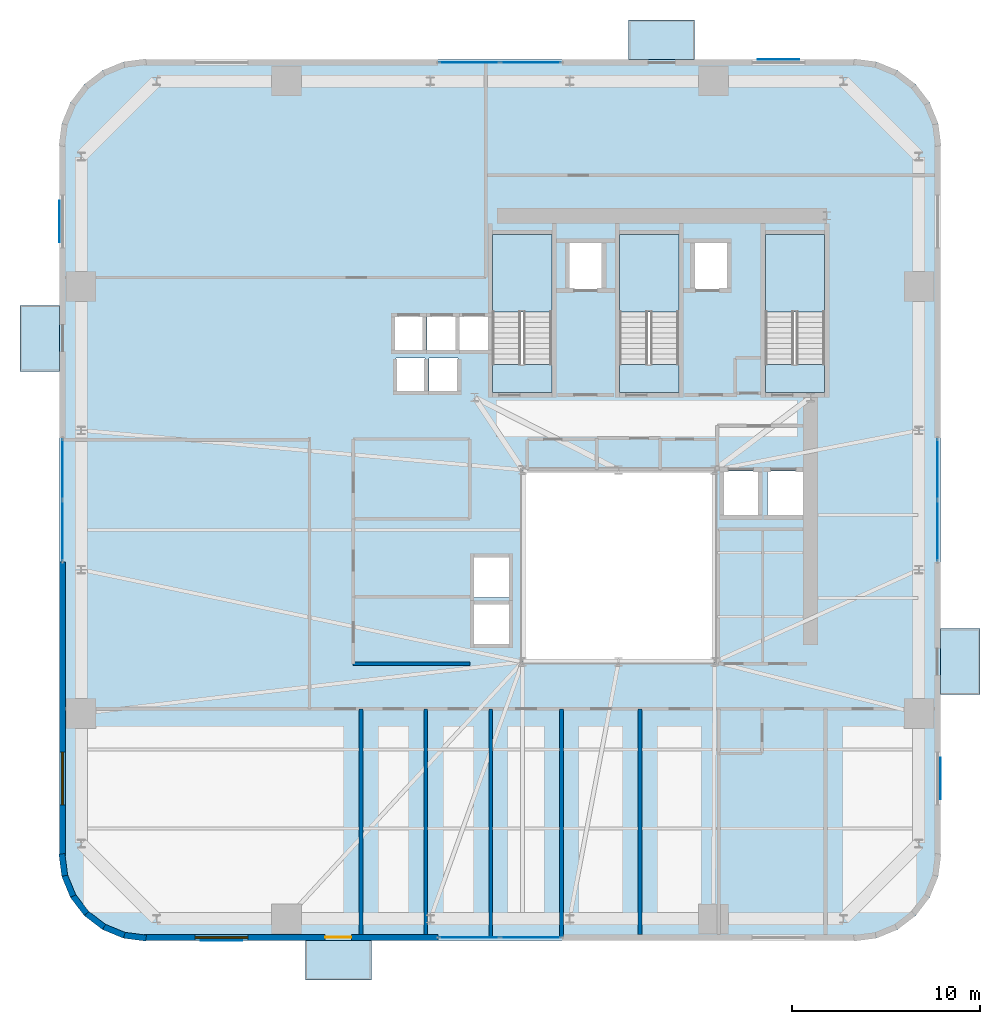
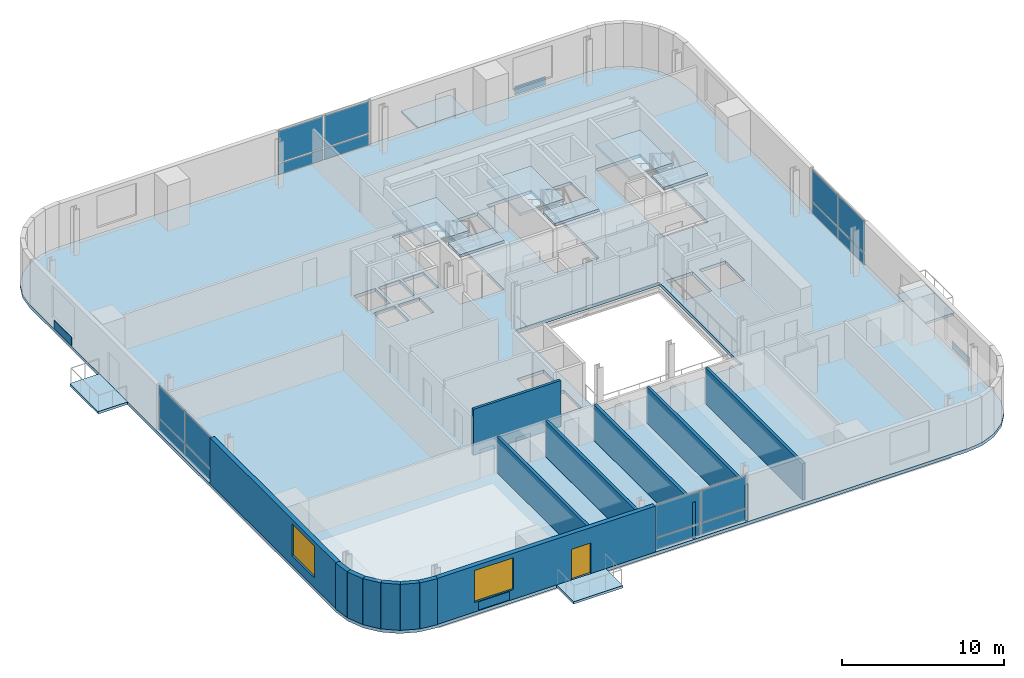
# One storey, part 5 of 14: 20 plates, 14 walls, 11 slabs, 2 windows, 1 door, 3 openings, 7 elements without a shape of their own.
"""IFC4 building model written with IfcOpenShell, lengths in metres."""

from ifc_helpers import new_model, si_unit, direction, frame, frame_2d, origin, origin_2d, place, context, subcontext, project, spatial, polyline, rectangle, outline, extrude, source, transform, mapped, material, layer, layer_set, type_object, element, fill, aggregate, save


model = new_model("IFC4")

# Units and contexts
model_context = context("Model", 3, precision=1e-05, world=origin(), true_north=direction((0.0, 1.0)))
body_context = subcontext(model_context, "Body", "Model", "MODEL_VIEW")
ifc_project = project(units=[si_unit("LENGTHUNIT", "METRE"), si_unit("AREAUNIT", "SQUARE_METRE"), si_unit("VOLUMEUNIT", "CUBIC_METRE"), si_unit("PLANEANGLEUNIT", "RADIAN"), si_unit("MASSUNIT", "GRAM", prefix="KILO")], contexts=[model_context])

# Site, building, storey
site_placement = place(None, origin())
site = spatial("IfcSite", under=ifc_project, at=site_placement, CompositionType="ELEMENT")
building_placement = place(site_placement, origin())
building = spatial("IfcBuilding", under=site, at=building_placement, Name="Vardaveli Station Tower", CompositionType="ELEMENT")
storey_placement = place(building_placement, frame((0.0, 0.0, 126.10009765625)))
storey = spatial("IfcBuildingStorey", under=building, at=storey_placement, Name="L32", CompositionType="ELEMENT", Elevation=126.10009765625)

# Stair, slabs
ifc_material_1 = material(Name="Concrete C40/50", Category="concrete")
stair_type = type_object("IfcStairType", Name="STR-CORE-1500", PredefinedType="HALF_TURN_STAIR", material=ifc_material_1)
stair_1_placement = place(storey_placement, origin())
stair_1 = element("IfcStair", 1, at=stair_1_placement, inside=storey, type_object=stair_type, Name="L32 ST-1", PredefinedType="HALF_TURN_STAIR")
ifc_layer_1 = layer(ifc_material_1, 0.199951171875, Name="Concrete C40/50")
ifc_layer_set_1 = layer_set([ifc_layer_1], Name="Concrete C40/50")
slab_type_1 = type_object("IfcSlabType", Name="SLB-LAND-200", PredefinedType="LANDING", material=ifc_layer_set_1)
slab_1_placement = place(storey_placement, frame((0.0, 0.0, 1.64990234375)))
slab_1 = element("IfcSlab", 2, at=slab_1_placement, type_object=slab_type_1, Name="ST-1 landing 1", PredefinedType="LANDING", context=body_context, shape_type="SweptSolid", body=[
    extrude(outline(polyline([(32.75, 35.199951171875), (32.75, 39.300048828125), (29.60009765625, 39.300048828125), (29.60009765625, 35.199951171875), (32.75, 35.199951171875)])), origin(), (0.0, 0.0, 1.0), 0.199951171875),
])
slab_2_placement = place(storey_placement, frame((0.0, 0.0, 3.5)))
slab_2 = element("IfcSlab", 3, at=slab_2_placement, type_object=slab_type_1, Name="ST-1 landing 2", PredefinedType="LANDING", context=body_context, shape_type="SweptSolid", body=[
    extrude(outline(polyline([(32.75, 30.89990234375), (32.75, 32.39990234375), (29.60009765625, 32.39990234375), (29.60009765625, 30.89990234375), (32.75, 30.89990234375)])), origin(), (0.0, 0.0, 1.0), 0.199951171875),
])
aggregate(stair_1, [slab_1, slab_2])

stair_2_placement = place(storey_placement, origin())
stair_2 = element("IfcStair", 4, at=stair_2_placement, inside=storey, type_object=stair_type, Name="L32 ST-2", PredefinedType="HALF_TURN_STAIR")
slab_3_placement = place(storey_placement, frame((0.0, 0.0, 1.64990234375)))
slab_3 = element("IfcSlab", 5, at=slab_3_placement, type_object=slab_type_1, Name="ST-2 landing 1", PredefinedType="LANDING", context=body_context, shape_type="SweptSolid", body=[
    extrude(outline(polyline([(39.5, 35.199951171875), (39.5, 39.300048828125), (36.35009765625, 39.300048828125), (36.35009765625, 35.199951171875), (39.5, 35.199951171875)])), origin(), (0.0, 0.0, 1.0), 0.199951171875),
])
slab_4_placement = place(storey_placement, frame((0.0, 0.0, 3.5)))
slab_4 = element("IfcSlab", 6, at=slab_4_placement, type_object=slab_type_1, Name="ST-2 landing 2", PredefinedType="LANDING", context=body_context, shape_type="SweptSolid", body=[
    extrude(outline(polyline([(39.5, 30.89990234375), (39.5, 32.39990234375), (36.35009765625, 32.39990234375), (36.35009765625, 30.89990234375), (39.5, 30.89990234375)])), origin(), (0.0, 0.0, 1.0), 0.199951171875),
])
aggregate(stair_2, [slab_3, slab_4])

stair_3_placement = place(storey_placement, origin())
stair_3 = element("IfcStair", 7, at=stair_3_placement, inside=storey, type_object=stair_type, Name="L32 ST-3", PredefinedType="HALF_TURN_STAIR")
slab_5_placement = place(storey_placement, frame((0.0, 0.0, 1.64990234375)))
slab_5 = element("IfcSlab", 8, at=slab_5_placement, type_object=slab_type_1, Name="ST-3 landing 1", PredefinedType="LANDING", context=body_context, shape_type="SweptSolid", body=[
    extrude(outline(polyline([(47.25, 35.199951171875), (47.25, 39.300048828125), (44.10009765625, 39.300048828125), (44.10009765625, 35.199951171875), (47.25, 35.199951171875)])), origin(), (0.0, 0.0, 1.0), 0.199951171875),
])
slab_6_placement = place(storey_placement, frame((0.0, 0.0, 3.5)))
slab_6 = element("IfcSlab", 9, at=slab_6_placement, type_object=slab_type_1, Name="ST-3 landing 2", PredefinedType="LANDING", context=body_context, shape_type="SweptSolid", body=[
    extrude(outline(polyline([(47.25, 30.89990234375), (47.25, 32.39990234375), (44.10009765625, 32.39990234375), (44.10009765625, 30.89990234375), (47.25, 30.89990234375)])), origin(), (0.0, 0.0, 1.0), 0.199951171875),
])
aggregate(stair_3, [slab_5, slab_6])

# Slabs
ifc_material_2 = material(Name="Precast concrete C45/55", Category="concrete")
ifc_layer_2 = layer(ifc_material_2, 0.179931640625, Name="Precast concrete C45/55")
ifc_layer_set_2 = layer_set([ifc_layer_2], Name="Precast concrete C45/55")
slab_type_2 = type_object("IfcSlabType", Name="SLB-LOGGIA-180", PredefinedType="FLOOR", material=ifc_layer_set_2)
slab_7_placement = place(storey_placement, frame((0.0, 0.0, -0.18017578125)))
element("IfcSlab", 10, at=slab_7_placement, inside=storey, type_object=slab_type_2, Name="LOG-L32-S", PredefinedType="FLOOR", context=body_context, shape_type="SweptSolid", body=[
    extrude(outline(polyline([(19.660400390625, -0.300048828125), (23.160400390625, -0.300048828125), (23.160400390625, 1.800048828125), (19.660400390625, 1.800048828125), (19.660400390625, -0.300048828125)])), origin(), (0.0, 0.0, 1.0), 0.18017578125),
])
slab_8_placement = place(storey_placement, frame((0.0, 0.0, -0.18017578125)))
element("IfcSlab", 11, at=slab_8_placement, inside=storey, type_object=slab_type_2, Name="LOG-L32-N", PredefinedType="FLOOR", context=body_context, shape_type="SweptSolid", body=[
    extrude(outline(polyline([(36.839599609375, 48.60009765625), (40.339599609375, 48.60009765625), (40.339599609375, 50.699951171875), (36.839599609375, 50.699951171875), (36.839599609375, 48.60009765625)])), origin(), (0.0, 0.0, 1.0), 0.18017578125),
])
slab_9_placement = place(storey_placement, frame((0.0, 0.0, -0.18017578125)))
element("IfcSlab", 12, at=slab_9_placement, inside=storey, type_object=slab_type_2, Name="LOG-L32-W", PredefinedType="FLOOR", context=body_context, shape_type="SweptSolid", body=[
    extrude(outline(polyline([(4.5, 32.03955078125), (6.60009765625, 32.03955078125), (6.60009765625, 35.53955078125), (4.5, 35.53955078125), (4.5, 32.03955078125)])), origin(), (0.0, 0.0, 1.0), 0.18017578125),
])
slab_10_placement = place(storey_placement, frame((0.0, 0.0, -0.18017578125)))
element("IfcSlab", 13, at=slab_10_placement, inside=storey, type_object=slab_type_2, Name="LOG-L32-E", PredefinedType="FLOOR", context=body_context, shape_type="SweptSolid", body=[
    extrude(outline(polyline([(53.39990234375, 14.8603515625), (55.5, 14.8603515625), (55.5, 18.3603515625), (53.39990234375, 18.3603515625), (53.39990234375, 14.8603515625)])), origin(), (0.0, 0.0, 1.0), 0.18017578125),
])
ifc_layer_3 = layer(ifc_material_1, 0.239990234375, Name="Concrete C40/50")
ifc_layer_set_3 = layer_set([ifc_layer_3], Name="Concrete C40/50")
slab_type_3 = type_object("IfcSlabType", Name="SLB-TOW-240", PredefinedType="FLOOR", material=ifc_layer_set_3)
slab_11_placement = place(storey_placement, frame((0.0, 0.0, -0.239990234375)))
element("IfcSlab", 14, at=slab_11_placement, inside=storey, type_object=slab_type_3, Name="SLB-L32-MAIN", PredefinedType="FLOOR", context=body_context, shape_type="SweptSolid", body=[
    extrude(outline(polyline([(6.60009765625, 6.300048828125), (6.75341796875, 5.13525390625), (7.202880859375, 4.050048828125), (7.91796875, 3.117919921875), (8.85009765625, 2.40283203125), (9.935302734375, 1.953369140625), (11.10009765625, 1.800048828125), (48.89990234375, 1.800048828125), (50.064697265625, 1.953369140625), (51.14990234375, 2.40283203125), (52.08203125, 3.117919921875), (52.797119140625, 4.050048828125), (53.24658203125, 5.13525390625), (53.39990234375, 6.300048828125), (53.39990234375, 44.10009765625), (53.24658203125, 45.2646484375), (52.797119140625, 46.35009765625), (52.08203125, 47.281982421875), (51.14990234375, 47.9970703125), (50.064697265625, 48.44677734375), (48.89990234375, 48.60009765625), (11.10009765625, 48.60009765625), (9.935302734375, 48.44677734375), (8.85009765625, 47.9970703125), (7.91796875, 47.281982421875), (7.202880859375, 46.35009765625), (6.75341796875, 45.2646484375), (6.60009765625, 44.10009765625), (6.60009765625, 6.300048828125)]), holes=[polyline([(31.199951171875, 16.60009765625), (41.39990234375, 16.60009765625), (41.39990234375, 26.800048828125), (31.199951171875, 26.800048828125), (31.199951171875, 16.60009765625)]), polyline([(32.75, 30.89990234375), (32.75, 39.300048828125), (29.60009765625, 39.300048828125), (29.60009765625, 30.89990234375), (32.75, 30.89990234375)]), polyline([(39.5, 30.89990234375), (39.5, 39.300048828125), (36.35009765625, 39.300048828125), (36.35009765625, 30.89990234375), (39.5, 30.89990234375)]), polyline([(47.25, 30.89990234375), (47.25, 39.300048828125), (44.10009765625, 39.300048828125), (44.10009765625, 30.89990234375), (47.25, 30.89990234375)]), polyline([(24.385009765625, 33.135009765625), (25.9150390625, 33.135009765625), (25.9150390625, 34.965087890625), (24.385009765625, 34.965087890625), (24.385009765625, 33.135009765625)]), polyline([(26.135009765625, 33.135009765625), (27.6650390625, 33.135009765625), (27.6650390625, 34.965087890625), (26.135009765625, 34.965087890625), (26.135009765625, 33.135009765625)]), polyline([(27.8349609375, 33.135009765625), (29.364990234375, 33.135009765625), (29.364990234375, 34.965087890625), (27.8349609375, 34.965087890625), (27.8349609375, 33.135009765625)]), polyline([(33.659912109375, 36.409912109375), (35.43994140625, 36.409912109375), (35.43994140625, 38.889892578125), (33.659912109375, 38.889892578125), (33.659912109375, 36.409912109375)]), polyline([(40.31005859375, 36.409912109375), (42.090087890625, 36.409912109375), (42.090087890625, 38.889892578125), (40.31005859375, 38.889892578125), (40.31005859375, 36.409912109375)]), polyline([(24.485107421875, 30.9599609375), (26.014892578125, 30.9599609375), (26.014892578125, 32.739990234375), (24.485107421875, 32.739990234375), (24.485107421875, 30.9599609375)]), polyline([(26.235107421875, 30.9599609375), (27.764892578125, 30.9599609375), (27.764892578125, 32.739990234375), (26.235107421875, 32.739990234375), (26.235107421875, 30.9599609375)]), polyline([(28.5849609375, 17.510009765625), (30.514892578125, 17.510009765625), (30.514892578125, 19.68994140625), (28.5849609375, 19.68994140625), (28.5849609375, 17.510009765625)]), polyline([(28.5849609375, 20.010009765625), (30.514892578125, 20.010009765625), (30.514892578125, 22.18994140625), (28.5849609375, 22.18994140625), (28.5849609375, 20.010009765625)]), polyline([(41.860107421875, 24.360107421875), (43.739990234375, 24.360107421875), (43.739990234375, 26.739990234375), (41.860107421875, 26.739990234375), (41.860107421875, 24.360107421875)]), polyline([(44.2099609375, 24.360107421875), (46.090087890625, 24.360107421875), (46.090087890625, 26.739990234375), (44.2099609375, 26.739990234375), (44.2099609375, 24.360107421875)])]), origin(), (0.0, 0.0, 1.0), 0.239990234375),
])

# Curtain wall, plates
ifc_material_3 = material(Name="Travertine stone and solar-control glass", Category="masonry")
curtain_wall_type = type_object("IfcCurtainWallType", Name="CW-SYS-2", PredefinedType="NOTDEFINED", material=ifc_material_3)
curtain_wall_1_placement = place(storey_placement, origin())
curtain_wall_1 = element("IfcCurtainWall", 15, at=curtain_wall_1_placement, inside=storey, type_object=curtain_wall_type, Name="CW-L32-S", PredefinedType="NOTDEFINED")
ifc_material_4 = material(Name="Double-glazed low-E solar-control glass", Category="glass")
ifc_layer_4 = layer(ifc_material_4, 0.035888671875, Name="Double-glazed low-E solar-control glass")
ifc_layer_set_4 = layer_set([ifc_layer_4], Name="Double-glazed low-E solar-control glass")
plate_type_1 = type_object("IfcPlateType", Name="CW-SYS-2-PAN", PredefinedType="CURTAIN_PANEL", material=ifc_layer_set_4)
shared_shape_1 = source(origin(), body_context, "Body", "SweptSolid", [
    extrude(rectangle(XDim=3.172607421875, YDim=0.035888671875, at=origin_2d()), origin(), (0.0, 0.0, 1.0), 0.822509765625),
])
plate_1_placement = place(storey_placement, frame((28.371337890625, 1.9599609375, 0.0849609375), z_axis=(0.0, 0.0, 1.0), x_axis=(1.0, 0.0, 0.0)))
plate_1 = element("IfcPlate", 16, at=plate_1_placement, type_object=plate_type_1, Name="CW-2 panel 1.1", PredefinedType="CURTAIN_PANEL", context=body_context, shape_type="MappedRepresentation", body=[
    mapped(shared_shape_1, transform((0.0, 0.0, 0.0), scale=1.0)),
])
plate_2_placement = place(storey_placement, frame((31.628662109375, 1.9599609375, 0.0849609375), z_axis=(0.0, 0.0, 1.0), x_axis=(1.0, 0.0, 0.0)))
plate_2 = element("IfcPlate", 17, at=plate_2_placement, type_object=plate_type_1, Name="CW-2 panel 2.1", PredefinedType="CURTAIN_PANEL", context=body_context, shape_type="MappedRepresentation", body=[
    mapped(shared_shape_1, transform((0.0, 0.0, 0.0), scale=1.0)),
])

curtain_wall_2_placement = place(storey_placement, origin())
curtain_wall_2 = element("IfcCurtainWall", 18, at=curtain_wall_2_placement, inside=storey, type_object=curtain_wall_type, Name="CW-L32-N", PredefinedType="NOTDEFINED")
plate_3_placement = place(storey_placement, frame((31.628662109375, 48.43994140625, 0.0849609375), z_axis=(0.0, 0.0, 1.0), x_axis=(-1.0, 0.0, 0.0)))
plate_3 = element("IfcPlate", 19, at=plate_3_placement, type_object=plate_type_1, Name="CW-2 panel 1.1", PredefinedType="CURTAIN_PANEL", context=body_context, shape_type="MappedRepresentation", body=[
    mapped(shared_shape_1, transform((0.0, 0.0, 0.0), scale=1.0)),
])
plate_4_placement = place(storey_placement, frame((28.371337890625, 48.43994140625, 0.0849609375), z_axis=(0.0, 0.0, 1.0), x_axis=(-1.0, 0.0, 0.0)))
plate_4 = element("IfcPlate", 20, at=plate_4_placement, type_object=plate_type_1, Name="CW-2 panel 2.1", PredefinedType="CURTAIN_PANEL", context=body_context, shape_type="MappedRepresentation", body=[
    mapped(shared_shape_1, transform((0.0, 0.0, 0.0), scale=1.0)),
])

curtain_wall_3_placement = place(storey_placement, origin())
curtain_wall_3 = element("IfcCurtainWall", 21, at=curtain_wall_3_placement, inside=storey, type_object=curtain_wall_type, Name="CW-L32-W", PredefinedType="NOTDEFINED")
plate_5_placement = place(storey_placement, frame((6.760009765625, 26.828857421875, 0.0849609375), z_axis=(0.0, 0.0, 1.0), x_axis=(0.0, -1.0, 0.0)))
plate_5 = element("IfcPlate", 22, at=plate_5_placement, type_object=plate_type_1, Name="CW-2 panel 1.1", PredefinedType="CURTAIN_PANEL", context=body_context, shape_type="MappedRepresentation", body=[
    mapped(shared_shape_1, transform((0.0, 0.0, 0.0), scale=1.0)),
])
plate_6_placement = place(storey_placement, frame((6.760009765625, 23.5712890625, 0.0849609375), z_axis=(0.0, 0.0, 1.0), x_axis=(0.0, -1.0, 0.0)))
plate_6 = element("IfcPlate", 23, at=plate_6_placement, type_object=plate_type_1, Name="CW-2 panel 2.1", PredefinedType="CURTAIN_PANEL", context=body_context, shape_type="MappedRepresentation", body=[
    mapped(shared_shape_1, transform((0.0, 0.0, 0.0), scale=1.0)),
])

curtain_wall_4_placement = place(storey_placement, origin())
curtain_wall_4 = element("IfcCurtainWall", 24, at=curtain_wall_4_placement, inside=storey, type_object=curtain_wall_type, Name="CW-L32-E", PredefinedType="NOTDEFINED")
plate_7_placement = place(storey_placement, frame((53.239990234375, 23.5712890625, 0.0849609375), z_axis=(0.0, 0.0, 1.0), x_axis=(0.0, 1.0, 0.0)))
plate_7 = element("IfcPlate", 25, at=plate_7_placement, type_object=plate_type_1, Name="CW-2 panel 1.1", PredefinedType="CURTAIN_PANEL", context=body_context, shape_type="MappedRepresentation", body=[
    mapped(shared_shape_1, transform((0.0, 0.0, 0.0), scale=1.0)),
])
plate_8_placement = place(storey_placement, frame((53.239990234375, 26.828857421875, 0.0849609375), z_axis=(0.0, 0.0, 1.0), x_axis=(0.0, 1.0, 0.0)))
plate_8 = element("IfcPlate", 26, at=plate_8_placement, type_object=plate_type_1, Name="CW-2 panel 2.1", PredefinedType="CURTAIN_PANEL", context=body_context, shape_type="MappedRepresentation", body=[
    mapped(shared_shape_1, transform((0.0, 0.0, 0.0), scale=1.0)),
])

# Plates
ifc_material_5 = material(Name="Honed Caucasian travertine stone", Category="masonry")
ifc_layer_5 = layer(ifc_material_5, 0.034912109375, Name="Honed Caucasian travertine stone")
ifc_layer_set_5 = layer_set([ifc_layer_5], Name="Honed Caucasian travertine stone")
plate_type_2 = type_object("IfcPlateType", Name="PLT-TRAV-35", PredefinedType="SHEET", material=ifc_layer_set_5)
shared_shape_2 = source(origin(), body_context, "Body", "SweptSolid", [
    extrude(rectangle(XDim=2.199951171875, YDim=0.034912109375, at=origin_2d()), origin(), (0.0, 0.0, 1.0), 0.6201171875),
])
for number, where, z_axis, x_axis, name in (
    (27, (15.205078125, 1.79052734375, 0.06982421875), (0.0, 0.0, 1.0), (1.0, 0.0, 0.0), "PLT-TR-L32-S"),
    (28, (44.794921875, 48.609619140625, 0.06982421875), (0.0, 0.0, 1.0), (1.0, 0.0, 0.0), "PLT-TR-L32-N"),
    (29, (6.590576171875, 39.9951171875, 0.06982421875), (0.0, 0.0, 1.0), (0.0, 1.0, 0.0), "PLT-TR-L32-W"),
    (30, (53.409423828125, 10.405029296875, 0.06982421875), (0.0, 0.0, 1.0), (0.0, 1.0, 0.0), "PLT-TR-L32-E"),
):
    element("IfcPlate", number, at=place(storey_placement, frame(where, z_axis=z_axis, x_axis=x_axis)), inside=storey, type_object=plate_type_2, Name=name, PredefinedType="SHEET", context=body_context, shape_type="MappedRepresentation", body=[
        mapped(shared_shape_2, transform((0.0, 0.0, 0.0), scale=1.0)),
    ])

# Plate
shared_shape_3 = source(origin(), body_context, "Body", "SweptSolid", [
    extrude(rectangle(XDim=3.172607421875, YDim=0.035888671875, at=origin_2d()), origin(), (0.0, 0.0, 1.0), 2.382568359375),
])
plate_9_placement = place(storey_placement, frame((28.371337890625, 1.9599609375, 0.9921875), z_axis=(0.0, 0.0, 1.0), x_axis=(1.0, 0.0, 0.0)))
plate_9 = element("IfcPlate", 31, at=plate_9_placement, type_object=plate_type_1, Name="CW-2 panel 1.2", PredefinedType="CURTAIN_PANEL", context=body_context, shape_type="MappedRepresentation", body=[
    mapped(shared_shape_3, transform((0.0, 0.0, 0.0), scale=1.0)),
])

plate_10_placement = place(storey_placement, frame((31.628662109375, 1.9599609375, 0.9921875), z_axis=(0.0, 0.0, 1.0), x_axis=(1.0, 0.0, 0.0)))
plate_10 = element("IfcPlate", 32, at=plate_10_placement, type_object=plate_type_1, Name="CW-2 panel 2.2", PredefinedType="CURTAIN_PANEL", context=body_context, shape_type="MappedRepresentation", body=[
    mapped(shared_shape_3, transform((0.0, 0.0, 0.0), scale=1.0)),
])

aggregate(curtain_wall_1, [plate_1, plate_9, plate_2, plate_10])

plate_11_placement = place(storey_placement, frame((31.628662109375, 48.43994140625, 0.9921875), z_axis=(0.0, 0.0, 1.0), x_axis=(-1.0, 0.0, 0.0)))
plate_11 = element("IfcPlate", 33, at=plate_11_placement, type_object=plate_type_1, Name="CW-2 panel 1.2", PredefinedType="CURTAIN_PANEL", context=body_context, shape_type="MappedRepresentation", body=[
    mapped(shared_shape_3, transform((0.0, 0.0, 0.0), scale=1.0)),
])

plate_12_placement = place(storey_placement, frame((28.371337890625, 48.43994140625, 0.9921875), z_axis=(0.0, 0.0, 1.0), x_axis=(-1.0, 0.0, 0.0)))
plate_12 = element("IfcPlate", 34, at=plate_12_placement, type_object=plate_type_1, Name="CW-2 panel 2.2", PredefinedType="CURTAIN_PANEL", context=body_context, shape_type="MappedRepresentation", body=[
    mapped(shared_shape_3, transform((0.0, 0.0, 0.0), scale=1.0)),
])

aggregate(curtain_wall_2, [plate_3, plate_11, plate_4, plate_12])

plate_13_placement = place(storey_placement, frame((6.760009765625, 26.828857421875, 0.9921875), z_axis=(0.0, 0.0, 1.0), x_axis=(0.0, -1.0, 0.0)))
plate_13 = element("IfcPlate", 35, at=plate_13_placement, type_object=plate_type_1, Name="CW-2 panel 1.2", PredefinedType="CURTAIN_PANEL", context=body_context, shape_type="MappedRepresentation", body=[
    mapped(shared_shape_3, transform((0.0, 0.0, 0.0), scale=1.0)),
])

plate_14_placement = place(storey_placement, frame((6.760009765625, 23.5712890625, 0.9921875), z_axis=(0.0, 0.0, 1.0), x_axis=(0.0, -1.0, 0.0)))
plate_14 = element("IfcPlate", 36, at=plate_14_placement, type_object=plate_type_1, Name="CW-2 panel 2.2", PredefinedType="CURTAIN_PANEL", context=body_context, shape_type="MappedRepresentation", body=[
    mapped(shared_shape_3, transform((0.0, 0.0, 0.0), scale=1.0)),
])

aggregate(curtain_wall_3, [plate_5, plate_13, plate_6, plate_14])

plate_15_placement = place(storey_placement, frame((53.239990234375, 23.5712890625, 0.9921875), z_axis=(0.0, 0.0, 1.0), x_axis=(0.0, 1.0, 0.0)))
plate_15 = element("IfcPlate", 37, at=plate_15_placement, type_object=plate_type_1, Name="CW-2 panel 1.2", PredefinedType="CURTAIN_PANEL", context=body_context, shape_type="MappedRepresentation", body=[
    mapped(shared_shape_3, transform((0.0, 0.0, 0.0), scale=1.0)),
])

plate_16_placement = place(storey_placement, frame((53.239990234375, 26.828857421875, 0.9921875), z_axis=(0.0, 0.0, 1.0), x_axis=(0.0, 1.0, 0.0)))
plate_16 = element("IfcPlate", 38, at=plate_16_placement, type_object=plate_type_1, Name="CW-2 panel 2.2", PredefinedType="CURTAIN_PANEL", context=body_context, shape_type="MappedRepresentation", body=[
    mapped(shared_shape_3, transform((0.0, 0.0, 0.0), scale=1.0)),
])

aggregate(curtain_wall_4, [plate_7, plate_15, plate_8, plate_16])

# Wall, openings, door, window
ifc_layer_6 = layer(ifc_material_2, 0.320068359375, Name="Precast concrete C45/55")
ifc_layer_set_6 = layer_set([ifc_layer_6], Name="Precast concrete C45/55")
wall_type_1 = type_object("IfcWallType", Name="WAL-EXT-STONE-320", PredefinedType="SOLIDWALL", material=ifc_layer_set_6)
shared_shape_4 = source(origin(), body_context, "Body", "SweptSolid", [
    extrude(rectangle(XDim=15.599853515625, YDim=0.320068359375, at=frame_2d((7.7998046875, 0.0))), origin(), (0.0, 0.0, 1.0), 3.4599609375),
])
wall_1_placement = place(storey_placement, frame((11.10009765625, 1.9599609375, 0.0), z_axis=(0.0, 0.0, 1.0), x_axis=(1.0, 0.0, 0.0)))
wall_1 = element("IfcWall", 39, at=wall_1_placement, inside=storey, type_object=wall_type_1, Name="EW-L32-S1", PredefinedType="SOLIDWALL", context=body_context, shape_type="MappedRepresentation", body=[
    mapped(shared_shape_4, transform((0.0, 0.0, 0.0), scale=1.0)),
])
shared_shape_5 = source(origin(), body_context, "Body", "SweptSolid", [
    extrude(rectangle(XDim=1.39990234375, YDim=2.300048828125, at=frame_2d((0.699951171875, 1.14990234375))), frame((0.0, 0.169921875, 0.0), z_axis=(0.0, -1.0, 0.0), x_axis=(1.0, 0.0, 0.0)), (0.0, 0.0, 1.0), 0.340087890625),
])
opening_1_placement = place(wall_1_placement, frame((9.6103515625, 0.0, 0.0)))
opening_1 = element("IfcOpeningElement", 40, at=opening_1_placement, cuts=wall_1, Name="Opening D-09", PredefinedType="OPENING", context=body_context, shape_type="MappedRepresentation", body=[
    mapped(shared_shape_5, transform((0.0, 0.0, 0.0), scale=1.0)),
])
shared_shape_6 = source(origin(), body_context, "Body", "SweptSolid", [
    extrude(rectangle(XDim=2.800048828125, YDim=2.39990234375, at=frame_2d((1.39990234375, 1.199951171875))), frame((0.0, 0.169921875, 0.0), z_axis=(0.0, -1.0, 0.0), x_axis=(1.0, 0.0, 0.0)), (0.0, 0.0, 1.0), 0.340087890625),
])
opening_2_placement = place(wall_1_placement, frame((2.705078125, 0.0, 0.719970703125)))
opening_2 = element("IfcOpeningElement", 41, at=opening_2_placement, cuts=wall_1, Name="Opening W-04", PredefinedType="OPENING", context=body_context, shape_type="MappedRepresentation", body=[
    mapped(shared_shape_6, transform((0.0, 0.0, 0.0), scale=1.0)),
])
ifc_material_6 = material(Name="Thermally broken aluminium glass", Category="aluminium")
door_type = type_object("IfcDoorType", Name="DR-LOG-1400x2300", OperationType="DOUBLE_DOOR_SLIDING", PredefinedType="DOOR", material=ifc_material_6)
shared_shape_7 = source(origin(), body_context, "Body", "SweptSolid", [
    extrude(rectangle(XDim=1.39990234375, YDim=2.300048828125, at=frame_2d((0.699951171875, 1.14990234375))), frame((0.0, 0.02490234375, 0.0), z_axis=(0.0, -1.0, 0.0), x_axis=(1.0, 0.0, 0.0)), (0.0, 0.0, 1.0), 0.050048828125),
])
door_placement = place(opening_1_placement, frame((1.39990234375, 0.0, 0.0), z_axis=(0.0, 0.0, 1.0), x_axis=(-1.0, 0.0, 0.0)))
door = element("IfcDoor", 42, at=door_placement, inside=storey, type_object=door_type, Name="DLG-L32-S", OperationType="DOUBLE_DOOR_SLIDING", OverallHeight=2.300048828125, OverallWidth=1.39990234375, PredefinedType="DOOR", context=body_context, shape_type="MappedRepresentation", body=[
    mapped(shared_shape_7, transform((0.0, 0.0, 0.0), scale=1.0)),
])
fill(opening_1, door)
ifc_material_7 = material(Name="Low-E solar-control glass", Category="glass")
window_type = type_object("IfcWindowType", Name="WIN-SUITE-2800x2400", PartitioningType="SINGLE_PANEL", PredefinedType="WINDOW", material=ifc_material_7)
shared_shape_8 = source(origin(), body_context, "Body", "SweptSolid", [
    extrude(rectangle(XDim=2.800048828125, YDim=2.39990234375, at=frame_2d((1.39990234375, 1.199951171875))), frame((0.0, 0.030029296875, 0.0), z_axis=(0.0, -1.0, 0.0), x_axis=(1.0, 0.0, 0.0)), (0.0, 0.0, 1.0), 0.06005859375),
])
window_1_placement = place(opening_2_placement, origin())
window_1 = element("IfcWindow", 43, at=window_1_placement, inside=storey, type_object=window_type, Name="WN-L32-S1", OverallHeight=2.39990234375, OverallWidth=2.800048828125, PartitioningType="SINGLE_PANEL", PredefinedType="WINDOW", context=body_context, shape_type="MappedRepresentation", body=[
    mapped(shared_shape_8, transform((0.0, 0.0, 0.0), scale=1.0)),
])
fill(opening_2, window_1)

# Wall, opening, window
wall_2_placement = place(storey_placement, frame((6.760009765625, 21.89990234375, 0.0), z_axis=(0.0, 0.0, 1.0), x_axis=(0.0, -1.0, 0.0)))
wall_2 = element("IfcWall", 44, at=wall_2_placement, inside=storey, type_object=wall_type_1, Name="EW-L32-W2", PredefinedType="SOLIDWALL", context=body_context, shape_type="MappedRepresentation", body=[
    mapped(shared_shape_4, transform((0.0, 0.0, 0.0), scale=1.0)),
])
opening_3_placement = place(wall_2_placement, frame((10.094970703125, 0.0, 0.719970703125)))
opening_3 = element("IfcOpeningElement", 45, at=opening_3_placement, cuts=wall_2, Name="Opening W-04", PredefinedType="OPENING", context=body_context, shape_type="MappedRepresentation", body=[
    mapped(shared_shape_6, transform((0.0, 0.0, 0.0), scale=1.0)),
])
window_2_placement = place(opening_3_placement, origin())
window_2 = element("IfcWindow", 46, at=window_2_placement, inside=storey, type_object=window_type, Name="WN-L32-W2", OverallHeight=2.39990234375, OverallWidth=2.800048828125, PartitioningType="SINGLE_PANEL", PredefinedType="WINDOW", context=body_context, shape_type="MappedRepresentation", body=[
    mapped(shared_shape_8, transform((0.0, 0.0, 0.0), scale=1.0)),
])
fill(opening_3, window_2)

# Walls
shared_shape_9 = source(origin(), body_context, "Body", "SweptSolid", [
    extrude(rectangle(XDim=1.170654296875, YDim=0.320068359375, at=frame_2d((0.58544921875, 0.0))), origin(), (0.0, 0.0, 1.0), 3.4599609375),
])
wall_3_placement = place(storey_placement, frame((6.724365234375, 6.400634765625, 0.0), z_axis=(0.0, 0.0, 1.0), x_axis=(0.128269133229, -0.991739395941, 0.0)))
element("IfcWall", 47, at=wall_3_placement, inside=storey, type_object=wall_type_1, Name="EW-L32-CR1-1", PredefinedType="SOLIDWALL", context=body_context, shape_type="MappedRepresentation", body=[
    mapped(shared_shape_9, transform((0.0, 0.0, 0.0), scale=1.0)),
])
shared_shape_10 = source(origin(), body_context, "Body", "SweptSolid", [
    extrude(rectangle(XDim=1.1689453125, YDim=0.320068359375, at=frame_2d((0.58447265625, 0.0))), origin(), (0.0, 0.0, 1.0), 3.4599609375),
])
for number, where, z_axis, x_axis, name in (
    (48, (6.87451171875, 5.23974609375, 0.0), (0.0, 0.0, 1.0), (0.381127904695, -0.924522320046, 0.0), "EW-L32-CR1-2"),
    (49, (7.320068359375, 4.158935546875, 0.0), (0.0, 0.0, 1.0), (0.608387696831, -0.793639975269, 0.0), "EW-L32-CR1-3"),
):
    element("IfcWall", number, at=place(storey_placement, frame(where, z_axis=z_axis, x_axis=x_axis)), inside=storey, type_object=wall_type_1, Name=name, PredefinedType="SOLIDWALL", context=body_context, shape_type="MappedRepresentation", body=[
        mapped(shared_shape_10, transform((0.0, 0.0, 0.0), scale=1.0)),
    ])
shared_shape_11 = source(origin(), body_context, "Body", "SweptSolid", [
    extrude(rectangle(XDim=1.168701171875, YDim=0.320068359375, at=frame_2d((0.58447265625, 0.0))), origin(), (0.0, 0.0, 1.0), 3.4599609375),
])
wall_4_placement = place(storey_placement, frame((8.03125, 3.231201171875, 0.0), z_axis=(0.0, 0.0, 1.0), x_axis=(0.793663520347, -0.608356981114, 0.0)))
element("IfcWall", 50, at=wall_4_placement, inside=storey, type_object=wall_type_1, Name="EW-L32-CR1-4", PredefinedType="SOLIDWALL", context=body_context, shape_type="MappedRepresentation", body=[
    mapped(shared_shape_11, transform((0.0, 0.0, 0.0), scale=1.0)),
])
shared_shape_12 = source(origin(), body_context, "Body", "SweptSolid", [
    extrude(rectangle(XDim=1.16943359375, YDim=0.320068359375, at=frame_2d((0.584716796875, 0.0))), origin(), (0.0, 0.0, 1.0), 3.4599609375),
])
wall_5_placement = place(storey_placement, frame((8.958740234375, 2.520263671875, 0.0), z_axis=(0.0, 0.0, 1.0), x_axis=(0.924479075121, -0.381232789334, 0.0)))
element("IfcWall", 51, at=wall_5_placement, inside=storey, type_object=wall_type_1, Name="EW-L32-CR1-5", PredefinedType="SOLIDWALL", context=body_context, shape_type="MappedRepresentation", body=[
    mapped(shared_shape_12, transform((0.0, 0.0, 0.0), scale=1.0)),
])
shared_shape_13 = source(origin(), body_context, "Body", "SweptSolid", [
    extrude(rectangle(XDim=1.170166015625, YDim=0.320068359375, at=frame_2d((0.5849609375, 0.0))), origin(), (0.0, 0.0, 1.0), 3.4599609375),
])
wall_6_placement = place(storey_placement, frame((10.039794921875, 2.074462890625, 0.0), z_axis=(0.0, 0.0, 1.0), x_axis=(0.991762485493, -0.128090485085, 0.0)))
element("IfcWall", 52, at=wall_6_placement, inside=storey, type_object=wall_type_1, Name="EW-L32-CR1-6", PredefinedType="SOLIDWALL", context=body_context, shape_type="MappedRepresentation", body=[
    mapped(shared_shape_13, transform((0.0, 0.0, 0.0), scale=1.0)),
])
ifc_material_8 = material(Name="Acoustic twin-stud gypsum partition")
ifc_layer_7 = layer(ifc_material_8, 0.199951171875, Name="Acoustic twin-stud gypsum partition")
ifc_layer_set_7 = layer_set([ifc_layer_7], Name="Acoustic twin-stud gypsum partition")
wall_type_2 = type_object("IfcWallType", Name="WAL-PARTY-200", PredefinedType="PARTITIONING", material=ifc_layer_set_7)
shared_shape_14 = source(origin(), body_context, "Body", "SweptSolid", [
    extrude(rectangle(XDim=11.97802734375, YDim=0.199951171875, at=frame_2d((5.989013671875, 0.0))), origin(), (0.0, 0.0, 1.0), 2.701904296875),
])
for number, where, z_axis, x_axis, name in (
    (53, (22.610107421875, 2.1220703125, 0.0), (0.0, 0.0, 1.0), (0.0, 1.0, 0.0), "W-L32-PS1"),
    (54, (26.06005859375, 2.1220703125, 0.0), (0.0, 0.0, 1.0), (0.0, 1.0, 0.0), "W-L32-PS2"),
    (55, (37.44189453125, 2.1220703125, 0.0), (0.0, 0.0, 1.0), (0.0, 1.0, 0.0), "W-L32-PS5"),
):
    element("IfcWall", number, at=place(storey_placement, frame(where, z_axis=z_axis, x_axis=x_axis)), inside=storey, type_object=wall_type_2, Name=name, PredefinedType="PARTITIONING", context=body_context, shape_type="MappedRepresentation", body=[
        mapped(shared_shape_14, transform((0.0, 0.0, 0.0), scale=1.0)),
    ])
shared_shape_15 = source(origin(), body_context, "Body", "SweptSolid", [
    extrude(rectangle(XDim=12.170166015625, YDim=0.199951171875, at=frame_2d((6.0849609375, 0.0))), origin(), (0.0, 0.0, 1.0), 2.701904296875),
])
for number, where, z_axis, x_axis, name in (
    (56, (29.510009765625, 1.929931640625, 0.0), (0.0, 0.0, 1.0), (0.0, 1.0, 0.0), "W-L32-PS3"),
    (57, (33.26904296875, 1.929931640625, 0.0), (0.0, 0.0, 1.0), (0.0, 1.0, 0.0), "W-L32-PS4"),
):
    element("IfcWall", number, at=place(storey_placement, frame(where, z_axis=z_axis, x_axis=x_axis)), inside=storey, type_object=wall_type_2, Name=name, PredefinedType="PARTITIONING", context=body_context, shape_type="MappedRepresentation", body=[
        mapped(shared_shape_15, transform((0.0, 0.0, 0.0), scale=1.0)),
    ])
ifc_material_9 = material(Name="Fire-rated gypsum stud partition")
ifc_layer_8 = layer(ifc_material_9, 0.179931640625, Name="Fire-rated gypsum stud partition")
ifc_layer_set_8 = layer_set([ifc_layer_8], Name="Fire-rated gypsum stud partition")
wall_type_3 = type_object("IfcWallType", Name="WAL-CORR-180", PredefinedType="PARTITIONING", material=ifc_layer_set_8)
shared_shape_16 = source(origin(), body_context, "Body", "SweptSolid", [
    extrude(rectangle(XDim=6.199951171875, YDim=0.179931640625, at=frame_2d((3.10009765625, 0.0))), origin(), (0.0, 0.0, 1.0), 3.4599609375),
])
wall_7_placement = place(storey_placement, frame((22.199951171875, 16.5, 0.0), z_axis=(0.0, 0.0, 1.0), x_axis=(1.0, 0.0, 0.0)))
element("IfcWall", 58, at=wall_7_placement, inside=storey, type_object=wall_type_3, Name="W-L32-ATWA-S", PredefinedType="PARTITIONING", context=body_context, shape_type="MappedRepresentation", body=[
    mapped(shared_shape_16, transform((0.0, 0.0, 0.0), scale=1.0)),
])

save(model, "model.ifc")
